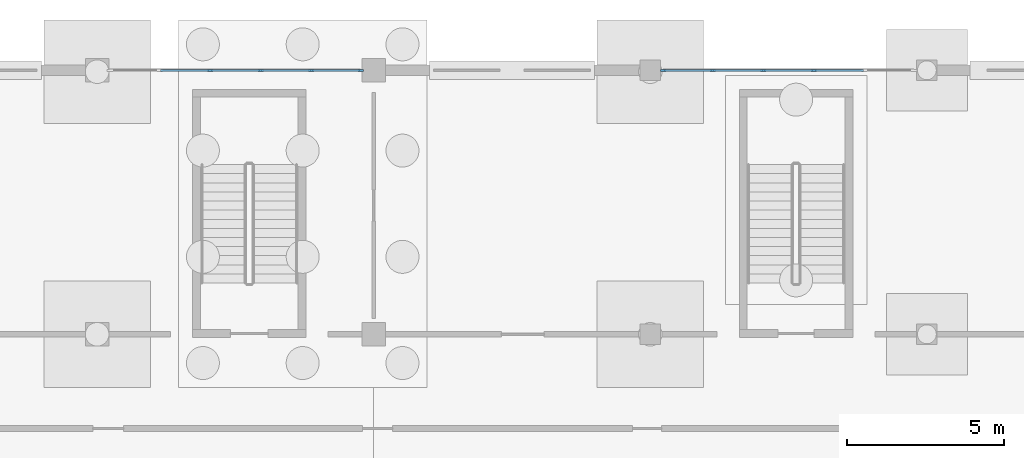
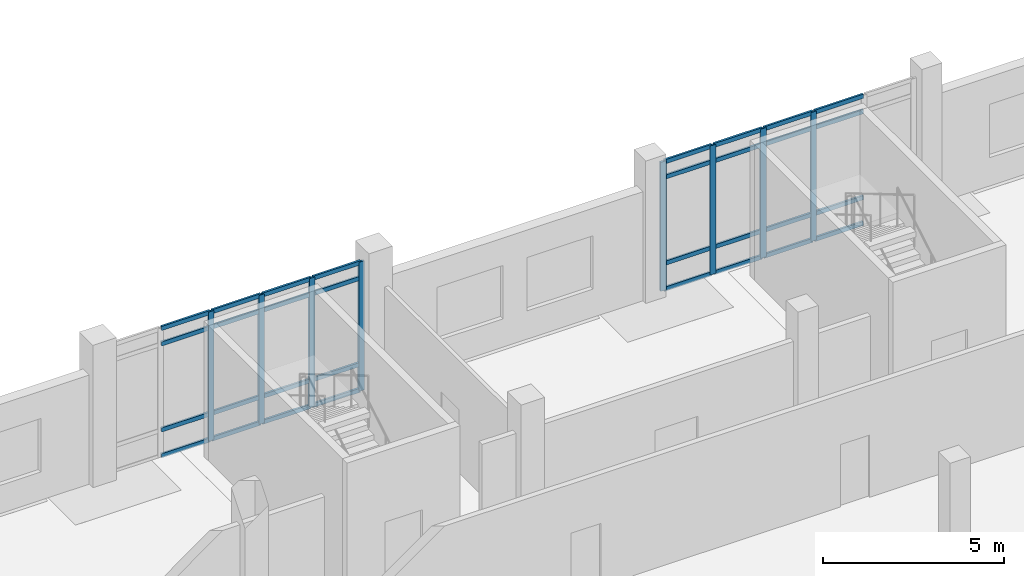
# One storey, part 24 of 72: 40 members, 2 elements without a shape of their own.
"""IFC4 building model written with IfcOpenShell, lengths in metres."""

from ifc_helpers import new_model, si_unit, direction, frame, origin, origin_2d, place, context, subcontext, project, spatial, rectangle, extrude, material, material_profile, profile_set, type_object, element, aggregate, save


model = new_model("IFC4")

# Units and contexts
model_context = context("Model", 3, precision=1e-05, world=origin(), true_north=direction((0.0, 1.0)))
body_context = subcontext(model_context, "Body", "Model", "MODEL_VIEW")
ifc_project = project(units=[si_unit("LENGTHUNIT", "METRE"), si_unit("AREAUNIT", "SQUARE_METRE"), si_unit("VOLUMEUNIT", "CUBIC_METRE"), si_unit("PLANEANGLEUNIT", "RADIAN"), si_unit("MASSUNIT", "GRAM", prefix="KILO")], contexts=[model_context])

# Site, building, storey
site_placement = place(None, origin())
site = spatial("IfcSite", under=ifc_project, at=site_placement, CompositionType="ELEMENT")
building_placement = place(site_placement, origin())
building = spatial("IfcBuilding", under=site, at=building_placement, Name="Cinderway Yard Community Centre", CompositionType="ELEMENT")
storey_placement = place(building_placement, origin())
storey = spatial("IfcBuildingStorey", under=building, at=storey_placement, Name="L00", CompositionType="ELEMENT", Elevation=0.0)

# Curtain wall, members
ifc_material = material(Name="Aluminium 6063-T6", Category="aluminium")
curtain_wall_type = type_object("IfcCurtainWallType", Name="ENV-CW-TYPE-25", PredefinedType="USERDEFINED", material=ifc_material)
curtain_wall_1_placement = place(storey_placement, origin())
curtain_wall_1 = element("IfcCurtainWall", 1, at=curtain_wall_1_placement, inside=storey, type_object=curtain_wall_type, Name="V4 Street Curtain Wall ENV-CW-L00-HS-0118", ObjectType="GLAZED CURTAIN WALL", PredefinedType="USERDEFINED")
ifc_material_profile_1 = material_profile(ifc_material, rectangle(XDim=0.06494140625, YDim=0.179931640625, at=origin_2d()), Name="Aluminium 6063-T6")
ifc_profile_set_1 = profile_set([ifc_material_profile_1], Name="Aluminium 6063-T6")
member_type_1 = type_object("IfcMemberType", Name="ENV-CW-MULL-180", PredefinedType="MULLION", material=ifc_profile_set_1)
member_1_placement = place(storey_placement, frame((113.99609375, 115.199951171875, 0.0), z_axis=(0.0, 0.0, 1.0), x_axis=(0.0, 1.0, 0.0)))
member_1 = element("IfcMember", 2, at=member_1_placement, type_object=member_type_1, Name="CW-25 mullion 3", PredefinedType="MULLION", context=body_context, shape_type="SweptSolid", body=[
    extrude(rectangle(XDim=0.06494140625, YDim=0.179931640625, at=origin_2d()), origin(), (0.0, 0.0, 1.0), 4.35009765625),
])
member_2_placement = place(storey_placement, frame((115.60400390625, 115.199951171875, 0.0), z_axis=(0.0, 0.0, 1.0), x_axis=(0.0, 1.0, 0.0)))
member_2 = element("IfcMember", 3, at=member_2_placement, type_object=member_type_1, Name="CW-25 mullion 4", PredefinedType="MULLION", context=body_context, shape_type="SweptSolid", body=[
    extrude(rectangle(XDim=0.06494140625, YDim=0.179931640625, at=origin_2d()), origin(), (0.0, 0.0, 1.0), 4.35009765625),
])
member_3_placement = place(storey_placement, frame((117.2119140625, 115.199951171875, 0.0), z_axis=(0.0, 0.0, 1.0), x_axis=(0.0, 1.0, 0.0)))
member_3 = element("IfcMember", 4, at=member_3_placement, type_object=member_type_1, Name="CW-25 mullion 5", PredefinedType="MULLION", context=body_context, shape_type="SweptSolid", body=[
    extrude(rectangle(XDim=0.06494140625, YDim=0.179931640625, at=origin_2d()), origin(), (0.0, 0.0, 1.0), 4.35009765625),
])
member_4_placement = place(storey_placement, frame((118.7900390625, 115.199951171875, 0.0), z_axis=(0.0, 0.0, 1.0), x_axis=(0.0, 1.0, 0.0)))
member_4 = element("IfcMember", 5, at=member_4_placement, type_object=member_type_1, Name="CW-25 mullion 6", PredefinedType="MULLION", context=body_context, shape_type="SweptSolid", body=[
    extrude(rectangle(XDim=0.06494140625, YDim=0.179931640625, at=origin_2d()), origin(), (0.0, 0.0, 1.0), 4.35009765625),
])

curtain_wall_2_placement = place(storey_placement, origin())
curtain_wall_2 = element("IfcCurtainWall", 6, at=curtain_wall_2_placement, inside=storey, type_object=curtain_wall_type, Name="V4 Street Curtain Wall ENV-CW-L00-HS-0120", ObjectType="GLAZED CURTAIN WALL", PredefinedType="USERDEFINED")
member_5_placement = place(storey_placement, frame((128.409912109375, 115.199951171875, 0.0), z_axis=(0.0, 0.0, 1.0), x_axis=(0.0, 1.0, 0.0)))
member_5 = element("IfcMember", 7, at=member_5_placement, type_object=member_type_1, Name="CW-25 mullion 1", PredefinedType="MULLION", context=body_context, shape_type="SweptSolid", body=[
    extrude(rectangle(XDim=0.06494140625, YDim=0.179931640625, at=origin_2d()), origin(), (0.0, 0.0, 1.0), 4.35009765625),
])
member_6_placement = place(storey_placement, frame((129.988037109375, 115.199951171875, 0.0), z_axis=(0.0, 0.0, 1.0), x_axis=(0.0, 1.0, 0.0)))
member_6 = element("IfcMember", 8, at=member_6_placement, type_object=member_type_1, Name="CW-25 mullion 2", PredefinedType="MULLION", context=body_context, shape_type="SweptSolid", body=[
    extrude(rectangle(XDim=0.06494140625, YDim=0.179931640625, at=origin_2d()), origin(), (0.0, 0.0, 1.0), 4.35009765625),
])
member_7_placement = place(storey_placement, frame((131.595947265625, 115.199951171875, 0.0), z_axis=(0.0, 0.0, 1.0), x_axis=(0.0, 1.0, 0.0)))
member_7 = element("IfcMember", 9, at=member_7_placement, type_object=member_type_1, Name="CW-25 mullion 3", PredefinedType="MULLION", context=body_context, shape_type="SweptSolid", body=[
    extrude(rectangle(XDim=0.06494140625, YDim=0.179931640625, at=origin_2d()), origin(), (0.0, 0.0, 1.0), 4.35009765625),
])
member_8_placement = place(storey_placement, frame((133.2041015625, 115.199951171875, 0.0), z_axis=(0.0, 0.0, 1.0), x_axis=(0.0, 1.0, 0.0)))
member_8 = element("IfcMember", 10, at=member_8_placement, type_object=member_type_1, Name="CW-25 mullion 4", PredefinedType="MULLION", context=body_context, shape_type="SweptSolid", body=[
    extrude(rectangle(XDim=0.06494140625, YDim=0.179931640625, at=origin_2d()), origin(), (0.0, 0.0, 1.0), 4.35009765625),
])

# Member
ifc_material_profile_2 = material_profile(ifc_material, rectangle(XDim=0.06494140625, YDim=0.139892578125, at=origin_2d()), Name="Aluminium 6063-T6")
ifc_profile_set_2 = profile_set([ifc_material_profile_2], Name="Aluminium 6063-T6")
member_type_2 = type_object("IfcMemberType", Name="ENV-CW-TRAN-140", PredefinedType="USERDEFINED", material=ifc_profile_set_2)
member_9_placement = place(storey_placement, frame((112.41796875, 115.199951171875, 0.030029296875), z_axis=(1.0, 0.0, 0.0), x_axis=(0.0, 1.0, 0.0)))
member_9 = element("IfcMember", 11, at=member_9_placement, type_object=member_type_2, Name="CW-25 transom 2.1", ObjectType="TRANSOM", PredefinedType="USERDEFINED", context=body_context, shape_type="SweptSolid", body=[
    extrude(rectangle(XDim=0.06494140625, YDim=0.139892578125, at=origin_2d()), origin(), (0.0, 0.0, 1.0), 1.548095703125),
])

member_10_placement = place(storey_placement, frame((112.41796875, 115.199951171875, 0.89990234375), z_axis=(1.0, 0.0, 0.0), x_axis=(0.0, 1.0, 0.0)))
member_10 = element("IfcMember", 12, at=member_10_placement, type_object=member_type_2, Name="CW-25 transom 2.2", ObjectType="TRANSOM", PredefinedType="USERDEFINED", context=body_context, shape_type="SweptSolid", body=[
    extrude(rectangle(XDim=0.06494140625, YDim=0.139892578125, at=origin_2d()), origin(), (0.0, 0.0, 1.0), 1.548095703125),
])

member_11_placement = place(storey_placement, frame((112.41796875, 115.199951171875, 3.800048828125), z_axis=(1.0, 0.0, 0.0), x_axis=(0.0, 1.0, 0.0)))
member_11 = element("IfcMember", 13, at=member_11_placement, type_object=member_type_2, Name="CW-25 transom 2.3", ObjectType="TRANSOM", PredefinedType="USERDEFINED", context=body_context, shape_type="SweptSolid", body=[
    extrude(rectangle(XDim=0.06494140625, YDim=0.139892578125, at=origin_2d()), origin(), (0.0, 0.0, 1.0), 1.548095703125),
])

member_12_placement = place(storey_placement, frame((112.41796875, 115.199951171875, 4.320068359375), z_axis=(1.0, 0.0, 0.0), x_axis=(0.0, 1.0, 0.0)))
member_12 = element("IfcMember", 14, at=member_12_placement, type_object=member_type_2, Name="CW-25 transom 2.4", ObjectType="TRANSOM", PredefinedType="USERDEFINED", context=body_context, shape_type="SweptSolid", body=[
    extrude(rectangle(XDim=0.06494140625, YDim=0.139892578125, at=origin_2d()), origin(), (0.0, 0.0, 1.0), 1.548095703125),
])

member_13_placement = place(storey_placement, frame((114.02587890625, 115.199951171875, 0.030029296875), z_axis=(1.0, 0.0, 0.0), x_axis=(0.0, 1.0, 0.0)))
member_13 = element("IfcMember", 15, at=member_13_placement, type_object=member_type_2, Name="CW-25 transom 3.1", ObjectType="TRANSOM", PredefinedType="USERDEFINED", context=body_context, shape_type="SweptSolid", body=[
    extrude(rectangle(XDim=0.06494140625, YDim=0.139892578125, at=origin_2d()), origin(), (0.0, 0.0, 1.0), 1.548095703125),
])

member_14_placement = place(storey_placement, frame((114.02587890625, 115.199951171875, 0.89990234375), z_axis=(1.0, 0.0, 0.0), x_axis=(0.0, 1.0, 0.0)))
member_14 = element("IfcMember", 16, at=member_14_placement, type_object=member_type_2, Name="CW-25 transom 3.2", ObjectType="TRANSOM", PredefinedType="USERDEFINED", context=body_context, shape_type="SweptSolid", body=[
    extrude(rectangle(XDim=0.06494140625, YDim=0.139892578125, at=origin_2d()), origin(), (0.0, 0.0, 1.0), 1.548095703125),
])

member_15_placement = place(storey_placement, frame((114.02587890625, 115.199951171875, 3.800048828125), z_axis=(1.0, 0.0, 0.0), x_axis=(0.0, 1.0, 0.0)))
member_15 = element("IfcMember", 17, at=member_15_placement, type_object=member_type_2, Name="CW-25 transom 3.3", ObjectType="TRANSOM", PredefinedType="USERDEFINED", context=body_context, shape_type="SweptSolid", body=[
    extrude(rectangle(XDim=0.06494140625, YDim=0.139892578125, at=origin_2d()), origin(), (0.0, 0.0, 1.0), 1.548095703125),
])

member_16_placement = place(storey_placement, frame((114.02587890625, 115.199951171875, 4.320068359375), z_axis=(1.0, 0.0, 0.0), x_axis=(0.0, 1.0, 0.0)))
member_16 = element("IfcMember", 18, at=member_16_placement, type_object=member_type_2, Name="CW-25 transom 3.4", ObjectType="TRANSOM", PredefinedType="USERDEFINED", context=body_context, shape_type="SweptSolid", body=[
    extrude(rectangle(XDim=0.06494140625, YDim=0.139892578125, at=origin_2d()), origin(), (0.0, 0.0, 1.0), 1.548095703125),
])

member_17_placement = place(storey_placement, frame((115.634033203125, 115.199951171875, 0.030029296875), z_axis=(1.0, 0.0, 0.0), x_axis=(0.0, 1.0, 0.0)))
member_17 = element("IfcMember", 19, at=member_17_placement, type_object=member_type_2, Name="CW-25 transom 4.1", ObjectType="TRANSOM", PredefinedType="USERDEFINED", context=body_context, shape_type="SweptSolid", body=[
    extrude(rectangle(XDim=0.06494140625, YDim=0.139892578125, at=origin_2d()), origin(), (0.0, 0.0, 1.0), 1.5478515625),
])

member_18_placement = place(storey_placement, frame((115.634033203125, 115.199951171875, 0.89990234375), z_axis=(1.0, 0.0, 0.0), x_axis=(0.0, 1.0, 0.0)))
member_18 = element("IfcMember", 20, at=member_18_placement, type_object=member_type_2, Name="CW-25 transom 4.2", ObjectType="TRANSOM", PredefinedType="USERDEFINED", context=body_context, shape_type="SweptSolid", body=[
    extrude(rectangle(XDim=0.06494140625, YDim=0.139892578125, at=origin_2d()), origin(), (0.0, 0.0, 1.0), 1.5478515625),
])

member_19_placement = place(storey_placement, frame((115.634033203125, 115.199951171875, 3.800048828125), z_axis=(1.0, 0.0, 0.0), x_axis=(0.0, 1.0, 0.0)))
member_19 = element("IfcMember", 21, at=member_19_placement, type_object=member_type_2, Name="CW-25 transom 4.3", ObjectType="TRANSOM", PredefinedType="USERDEFINED", context=body_context, shape_type="SweptSolid", body=[
    extrude(rectangle(XDim=0.06494140625, YDim=0.139892578125, at=origin_2d()), origin(), (0.0, 0.0, 1.0), 1.5478515625),
])

member_20_placement = place(storey_placement, frame((115.634033203125, 115.199951171875, 4.320068359375), z_axis=(1.0, 0.0, 0.0), x_axis=(0.0, 1.0, 0.0)))
member_20 = element("IfcMember", 22, at=member_20_placement, type_object=member_type_2, Name="CW-25 transom 4.4", ObjectType="TRANSOM", PredefinedType="USERDEFINED", context=body_context, shape_type="SweptSolid", body=[
    extrude(rectangle(XDim=0.06494140625, YDim=0.139892578125, at=origin_2d()), origin(), (0.0, 0.0, 1.0), 1.5478515625),
])

member_21_placement = place(storey_placement, frame((117.241943359375, 115.199951171875, 0.030029296875), z_axis=(1.0, 0.0, 0.0), x_axis=(0.0, 1.0, 0.0)))
member_21 = element("IfcMember", 23, at=member_21_placement, type_object=member_type_2, Name="CW-25 transom 5.1", ObjectType="TRANSOM", PredefinedType="USERDEFINED", context=body_context, shape_type="SweptSolid", body=[
    extrude(rectangle(XDim=0.06494140625, YDim=0.139892578125, at=origin_2d()), origin(), (0.0, 0.0, 1.0), 1.51806640625),
])

member_22_placement = place(storey_placement, frame((117.241943359375, 115.199951171875, 0.89990234375), z_axis=(1.0, 0.0, 0.0), x_axis=(0.0, 1.0, 0.0)))
member_22 = element("IfcMember", 24, at=member_22_placement, type_object=member_type_2, Name="CW-25 transom 5.2", ObjectType="TRANSOM", PredefinedType="USERDEFINED", context=body_context, shape_type="SweptSolid", body=[
    extrude(rectangle(XDim=0.06494140625, YDim=0.139892578125, at=origin_2d()), origin(), (0.0, 0.0, 1.0), 1.51806640625),
])

member_23_placement = place(storey_placement, frame((117.241943359375, 115.199951171875, 3.800048828125), z_axis=(1.0, 0.0, 0.0), x_axis=(0.0, 1.0, 0.0)))
member_23 = element("IfcMember", 25, at=member_23_placement, type_object=member_type_2, Name="CW-25 transom 5.3", ObjectType="TRANSOM", PredefinedType="USERDEFINED", context=body_context, shape_type="SweptSolid", body=[
    extrude(rectangle(XDim=0.06494140625, YDim=0.139892578125, at=origin_2d()), origin(), (0.0, 0.0, 1.0), 1.51806640625),
])

member_24_placement = place(storey_placement, frame((117.241943359375, 115.199951171875, 4.320068359375), z_axis=(1.0, 0.0, 0.0), x_axis=(0.0, 1.0, 0.0)))
member_24 = element("IfcMember", 26, at=member_24_placement, type_object=member_type_2, Name="CW-25 transom 5.4", ObjectType="TRANSOM", PredefinedType="USERDEFINED", context=body_context, shape_type="SweptSolid", body=[
    extrude(rectangle(XDim=0.06494140625, YDim=0.139892578125, at=origin_2d()), origin(), (0.0, 0.0, 1.0), 1.51806640625),
])

aggregate(curtain_wall_1, [member_1, member_2, member_3, member_4, member_9, member_10, member_11, member_12, member_13, member_14, member_15, member_16, member_17, member_18, member_19, member_20, member_21, member_22, member_23, member_24])

member_25_placement = place(storey_placement, frame((128.43994140625, 115.199951171875, 0.030029296875), z_axis=(1.0, 0.0, 0.0), x_axis=(0.0, 1.0, 0.0)))
member_25 = element("IfcMember", 27, at=member_25_placement, type_object=member_type_2, Name="CW-25 transom 1.1", ObjectType="TRANSOM", PredefinedType="USERDEFINED", context=body_context, shape_type="SweptSolid", body=[
    extrude(rectangle(XDim=0.06494140625, YDim=0.139892578125, at=origin_2d()), origin(), (0.0, 0.0, 1.0), 1.51806640625),
])

member_26_placement = place(storey_placement, frame((128.43994140625, 115.199951171875, 0.89990234375), z_axis=(1.0, 0.0, 0.0), x_axis=(0.0, 1.0, 0.0)))
member_26 = element("IfcMember", 28, at=member_26_placement, type_object=member_type_2, Name="CW-25 transom 1.2", ObjectType="TRANSOM", PredefinedType="USERDEFINED", context=body_context, shape_type="SweptSolid", body=[
    extrude(rectangle(XDim=0.06494140625, YDim=0.139892578125, at=origin_2d()), origin(), (0.0, 0.0, 1.0), 1.51806640625),
])

member_27_placement = place(storey_placement, frame((128.43994140625, 115.199951171875, 3.800048828125), z_axis=(1.0, 0.0, 0.0), x_axis=(0.0, 1.0, 0.0)))
member_27 = element("IfcMember", 29, at=member_27_placement, type_object=member_type_2, Name="CW-25 transom 1.3", ObjectType="TRANSOM", PredefinedType="USERDEFINED", context=body_context, shape_type="SweptSolid", body=[
    extrude(rectangle(XDim=0.06494140625, YDim=0.139892578125, at=origin_2d()), origin(), (0.0, 0.0, 1.0), 1.51806640625),
])

member_28_placement = place(storey_placement, frame((128.43994140625, 115.199951171875, 4.320068359375), z_axis=(1.0, 0.0, 0.0), x_axis=(0.0, 1.0, 0.0)))
member_28 = element("IfcMember", 30, at=member_28_placement, type_object=member_type_2, Name="CW-25 transom 1.4", ObjectType="TRANSOM", PredefinedType="USERDEFINED", context=body_context, shape_type="SweptSolid", body=[
    extrude(rectangle(XDim=0.06494140625, YDim=0.139892578125, at=origin_2d()), origin(), (0.0, 0.0, 1.0), 1.51806640625),
])

member_29_placement = place(storey_placement, frame((130.01806640625, 115.199951171875, 0.030029296875), z_axis=(1.0, 0.0, 0.0), x_axis=(0.0, 1.0, 0.0)))
member_29 = element("IfcMember", 31, at=member_29_placement, type_object=member_type_2, Name="CW-25 transom 2.1", ObjectType="TRANSOM", PredefinedType="USERDEFINED", context=body_context, shape_type="SweptSolid", body=[
    extrude(rectangle(XDim=0.06494140625, YDim=0.139892578125, at=origin_2d()), origin(), (0.0, 0.0, 1.0), 1.5478515625),
])

member_30_placement = place(storey_placement, frame((130.01806640625, 115.199951171875, 0.89990234375), z_axis=(1.0, 0.0, 0.0), x_axis=(0.0, 1.0, 0.0)))
member_30 = element("IfcMember", 32, at=member_30_placement, type_object=member_type_2, Name="CW-25 transom 2.2", ObjectType="TRANSOM", PredefinedType="USERDEFINED", context=body_context, shape_type="SweptSolid", body=[
    extrude(rectangle(XDim=0.06494140625, YDim=0.139892578125, at=origin_2d()), origin(), (0.0, 0.0, 1.0), 1.5478515625),
])

member_31_placement = place(storey_placement, frame((130.01806640625, 115.199951171875, 3.800048828125), z_axis=(1.0, 0.0, 0.0), x_axis=(0.0, 1.0, 0.0)))
member_31 = element("IfcMember", 33, at=member_31_placement, type_object=member_type_2, Name="CW-25 transom 2.3", ObjectType="TRANSOM", PredefinedType="USERDEFINED", context=body_context, shape_type="SweptSolid", body=[
    extrude(rectangle(XDim=0.06494140625, YDim=0.139892578125, at=origin_2d()), origin(), (0.0, 0.0, 1.0), 1.5478515625),
])

member_32_placement = place(storey_placement, frame((130.01806640625, 115.199951171875, 4.320068359375), z_axis=(1.0, 0.0, 0.0), x_axis=(0.0, 1.0, 0.0)))
member_32 = element("IfcMember", 34, at=member_32_placement, type_object=member_type_2, Name="CW-25 transom 2.4", ObjectType="TRANSOM", PredefinedType="USERDEFINED", context=body_context, shape_type="SweptSolid", body=[
    extrude(rectangle(XDim=0.06494140625, YDim=0.139892578125, at=origin_2d()), origin(), (0.0, 0.0, 1.0), 1.5478515625),
])

member_33_placement = place(storey_placement, frame((131.6259765625, 115.199951171875, 0.030029296875), z_axis=(1.0, 0.0, 0.0), x_axis=(0.0, 1.0, 0.0)))
member_33 = element("IfcMember", 35, at=member_33_placement, type_object=member_type_2, Name="CW-25 transom 3.1", ObjectType="TRANSOM", PredefinedType="USERDEFINED", context=body_context, shape_type="SweptSolid", body=[
    extrude(rectangle(XDim=0.06494140625, YDim=0.139892578125, at=origin_2d()), origin(), (0.0, 0.0, 1.0), 1.548095703125),
])

member_34_placement = place(storey_placement, frame((131.6259765625, 115.199951171875, 0.89990234375), z_axis=(1.0, 0.0, 0.0), x_axis=(0.0, 1.0, 0.0)))
member_34 = element("IfcMember", 36, at=member_34_placement, type_object=member_type_2, Name="CW-25 transom 3.2", ObjectType="TRANSOM", PredefinedType="USERDEFINED", context=body_context, shape_type="SweptSolid", body=[
    extrude(rectangle(XDim=0.06494140625, YDim=0.139892578125, at=origin_2d()), origin(), (0.0, 0.0, 1.0), 1.548095703125),
])

member_35_placement = place(storey_placement, frame((131.6259765625, 115.199951171875, 3.800048828125), z_axis=(1.0, 0.0, 0.0), x_axis=(0.0, 1.0, 0.0)))
member_35 = element("IfcMember", 37, at=member_35_placement, type_object=member_type_2, Name="CW-25 transom 3.3", ObjectType="TRANSOM", PredefinedType="USERDEFINED", context=body_context, shape_type="SweptSolid", body=[
    extrude(rectangle(XDim=0.06494140625, YDim=0.139892578125, at=origin_2d()), origin(), (0.0, 0.0, 1.0), 1.548095703125),
])

member_36_placement = place(storey_placement, frame((131.6259765625, 115.199951171875, 4.320068359375), z_axis=(1.0, 0.0, 0.0), x_axis=(0.0, 1.0, 0.0)))
member_36 = element("IfcMember", 38, at=member_36_placement, type_object=member_type_2, Name="CW-25 transom 3.4", ObjectType="TRANSOM", PredefinedType="USERDEFINED", context=body_context, shape_type="SweptSolid", body=[
    extrude(rectangle(XDim=0.06494140625, YDim=0.139892578125, at=origin_2d()), origin(), (0.0, 0.0, 1.0), 1.548095703125),
])

member_37_placement = place(storey_placement, frame((133.23388671875, 115.199951171875, 0.030029296875), z_axis=(1.0, 0.0, 0.0), x_axis=(0.0, 1.0, 0.0)))
member_37 = element("IfcMember", 39, at=member_37_placement, type_object=member_type_2, Name="CW-25 transom 4.1", ObjectType="TRANSOM", PredefinedType="USERDEFINED", context=body_context, shape_type="SweptSolid", body=[
    extrude(rectangle(XDim=0.06494140625, YDim=0.139892578125, at=origin_2d()), origin(), (0.0, 0.0, 1.0), 1.548095703125),
])

member_38_placement = place(storey_placement, frame((133.23388671875, 115.199951171875, 0.89990234375), z_axis=(1.0, 0.0, 0.0), x_axis=(0.0, 1.0, 0.0)))
member_38 = element("IfcMember", 40, at=member_38_placement, type_object=member_type_2, Name="CW-25 transom 4.2", ObjectType="TRANSOM", PredefinedType="USERDEFINED", context=body_context, shape_type="SweptSolid", body=[
    extrude(rectangle(XDim=0.06494140625, YDim=0.139892578125, at=origin_2d()), origin(), (0.0, 0.0, 1.0), 1.548095703125),
])

member_39_placement = place(storey_placement, frame((133.23388671875, 115.199951171875, 3.800048828125), z_axis=(1.0, 0.0, 0.0), x_axis=(0.0, 1.0, 0.0)))
member_39 = element("IfcMember", 41, at=member_39_placement, type_object=member_type_2, Name="CW-25 transom 4.3", ObjectType="TRANSOM", PredefinedType="USERDEFINED", context=body_context, shape_type="SweptSolid", body=[
    extrude(rectangle(XDim=0.06494140625, YDim=0.139892578125, at=origin_2d()), origin(), (0.0, 0.0, 1.0), 1.548095703125),
])

member_40_placement = place(storey_placement, frame((133.23388671875, 115.199951171875, 4.320068359375), z_axis=(1.0, 0.0, 0.0), x_axis=(0.0, 1.0, 0.0)))
member_40 = element("IfcMember", 42, at=member_40_placement, type_object=member_type_2, Name="CW-25 transom 4.4", ObjectType="TRANSOM", PredefinedType="USERDEFINED", context=body_context, shape_type="SweptSolid", body=[
    extrude(rectangle(XDim=0.06494140625, YDim=0.139892578125, at=origin_2d()), origin(), (0.0, 0.0, 1.0), 1.548095703125),
])

aggregate(curtain_wall_2, [member_5, member_6, member_7, member_8, member_25, member_26, member_27, member_28, member_29, member_30, member_31, member_32, member_33, member_34, member_35, member_36, member_37, member_38, member_39, member_40])

save(model, "model.ifc")
